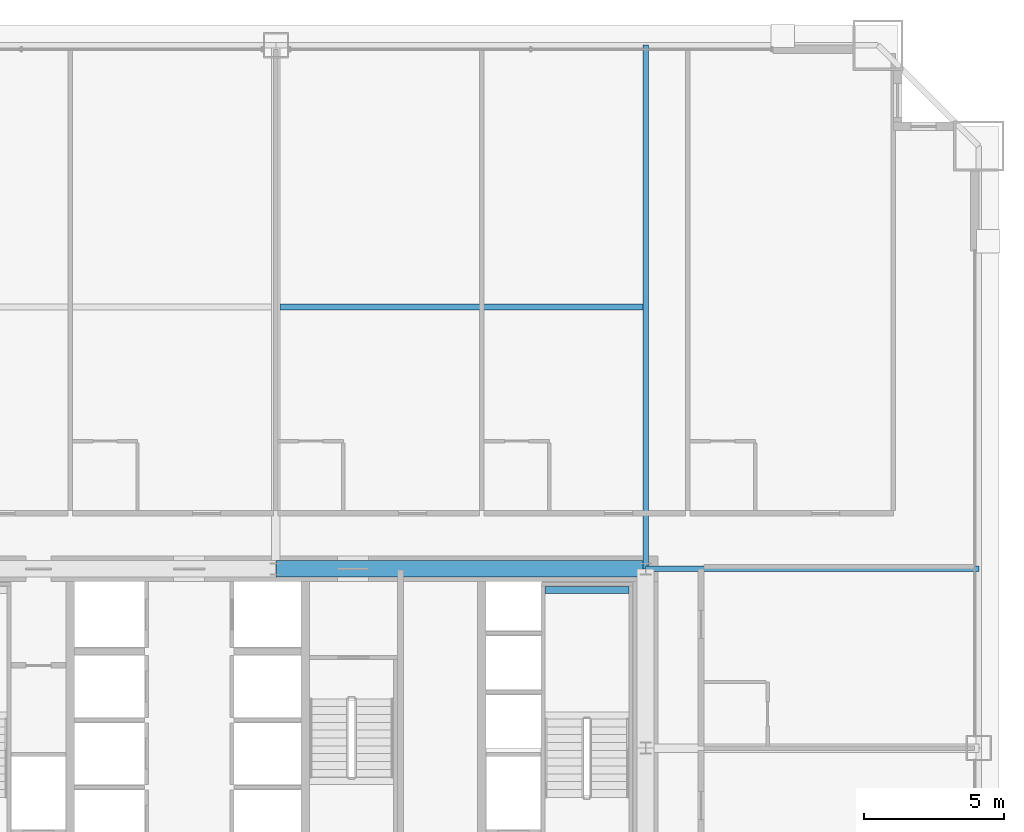
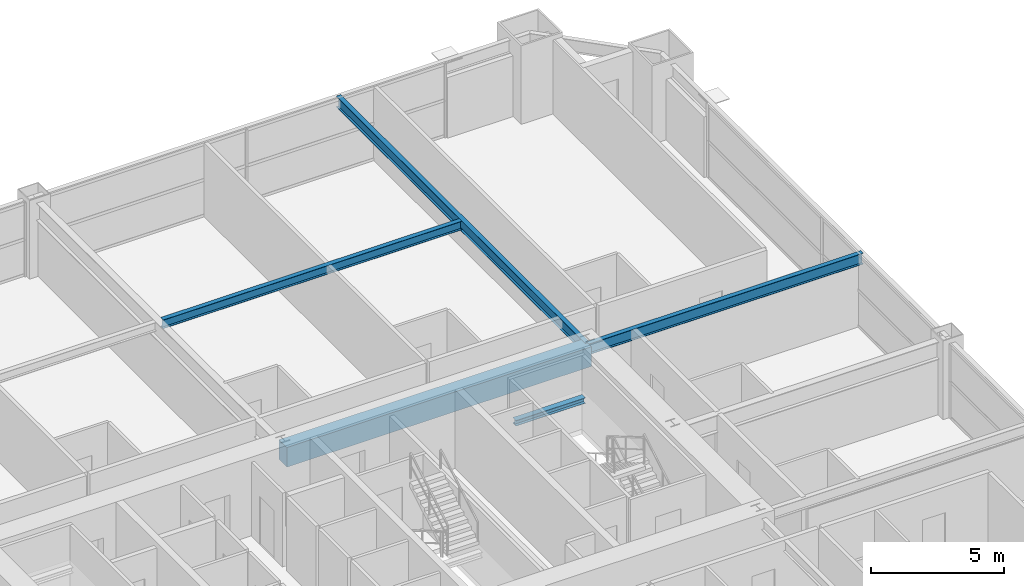
# One storey, part 32 of 45: 5 beams.
"""IFC4 building model written with IfcOpenShell, lengths in metres."""

import ifcopenshell
import ifcopenshell.guid

model = None  # the IFC model being written
_history = None  # IfcOwnerHistory: only IFC2X3 demands one
_inside = {}  # id of a spatial element -> (the spatial element, [elements in it])
_under = {}  # id of a project, library or spatial element -> (it, [spatial elements below it])
_declared = {}  # id of a project -> (the project, [libraries it declares])
_typed = {}  # id of a type object -> (the type object, [elements of that type])
_made_of = {}  # id of a material, layer set ... -> (it, [elements and type objects made of it])


def new_model(schema):
    """Start an empty IFC model of exactly this schema.

    Asked for "IFC4X3", IfcOpenShell would pick the latest addendum, in which some entities
    have other attributes; the version numbers below select the first issue.
    IFC2X3 requires an IfcOwnerHistory on every rooted entity: one is made here for all.
    """
    global model, _history
    if schema == "IFC4X3":
        model = ifcopenshell.file(schema_version=(4, 3, 0, 0))
    else:
        model = ifcopenshell.file(schema=schema)
    _inside.clear()
    _under.clear()
    _declared.clear()
    _typed.clear()
    _made_of.clear()
    _history = None
    if model.schema == "IFC2X3":
        org = make("IfcOrganization", Name="unknown")
        user = make(
            "IfcPersonAndOrganization",
            ThePerson=make("IfcPerson", FamilyName="unknown"),
            TheOrganization=org,
        )
        app = make(
            "IfcApplication",
            ApplicationDeveloper=org,
            Version="unknown",
            ApplicationFullName="unknown",
            ApplicationIdentifier="unknown",
        )
        _history = make(
            "IfcOwnerHistory",
            OwningUser=user,
            OwningApplication=app,
            ChangeAction="ADDED",
            CreationDate=0,
        )
    return model


def make(cls, **values):
    """One entity of the class cls with the attributes given. An attribute that is None is left unset."""
    return model.create_entity(
        cls, **{name: value for name, value in values.items() if value is not None}
    )


def rooted(cls, **values):
    """An entity with a GlobalId (a new one), such as an element, a storey or a relation."""
    return make(cls, GlobalId=ifcopenshell.guid.new(), OwnerHistory=_history, **values)


def si_unit(unit_type, name, prefix=None):
    """IfcSIUnit, for example si_unit("LENGTHUNIT", "METRE", prefix="MILLI")."""
    return make("IfcSIUnit", UnitType=unit_type, Prefix=prefix, Name=name)


def assignment(units):
    """IfcUnitAssignment: the units of a project."""
    return None if units is None else make("IfcUnitAssignment", Units=units)


def point(xyz):
    """IfcCartesianPoint."""
    return None if xyz is None else make("IfcCartesianPoint", Coordinates=xyz)


def direction(xyz):
    """IfcDirection."""
    return None if xyz is None else make("IfcDirection", DirectionRatios=xyz)


def frame(location, z_axis=None, x_axis=None):
    """IfcAxis2Placement3D, a coordinate frame: its origin and axes. An axis left out is left unset."""
    return make(
        "IfcAxis2Placement3D",
        Location=point(location),
        Axis=direction(z_axis),
        RefDirection=direction(x_axis),
    )


def frame_2d(location, x_axis=None):
    """IfcAxis2Placement2D, a coordinate frame in the plane: its origin and x axis."""
    return make(
        "IfcAxis2Placement2D", Location=point(location), RefDirection=direction(x_axis)
    )


def origin():
    """The frame at (0, 0, 0) with its axes left unset."""
    return frame((0.0, 0.0, 0.0))


def origin_2d():
    """The frame at (0, 0) in the plane with its x axis left unset."""
    return frame_2d((0.0, 0.0))


def place(relative_to, where):
    """IfcLocalPlacement: puts the frame where relative to a parent placement (None: the world)."""
    return make(
        "IfcLocalPlacement", PlacementRelTo=relative_to, RelativePlacement=where
    )


def context(
    kind, dimensions, precision=None, world=None, true_north=None, identifier=None
):
    """IfcGeometricRepresentationContext, for example the 3D "Model" context."""
    return make(
        "IfcGeometricRepresentationContext",
        ContextIdentifier=identifier,
        ContextType=kind,
        CoordinateSpaceDimension=dimensions,
        Precision=precision,
        WorldCoordinateSystem=world,
        TrueNorth=true_north,
    )


def subcontext(parent, identifier, kind, view, scale=None):
    """IfcGeometricRepresentationSubContext, for example "Body" below "Model"."""
    return make(
        "IfcGeometricRepresentationSubContext",
        ContextIdentifier=identifier,
        ContextType=kind,
        ParentContext=parent,
        TargetScale=scale,
        TargetView=view,
    )


def project(units=None, contexts=None):
    """IfcProject with its units and contexts."""
    return rooted(
        "IfcProject",
        Name="project",
        RepresentationContexts=contexts,
        UnitsInContext=assignment(units),
    )


def spatial(cls, under=None, at=None, **own):
    """A site, building, storey or space (cls), placed at a placement, below another one or the project."""
    s = rooted(cls, ObjectPlacement=at, **own)
    if under is not None:
        _under.setdefault(under.id(), (under, []))[1].append(s)
    return s


def profile(cls, at=None, kind="AREA", **sizes):
    """A parametric profile (cls). Its sizes go by their IFC names, for example OverallWidth=200.0."""
    return make(cls, ProfileType=kind, Position=at, **sizes)


def rectangle(**sizes):
    """IfcRectangleProfileDef."""
    return profile("IfcRectangleProfileDef", **sizes)


def i_section(**sizes):
    """IfcIShapeProfileDef."""
    return profile("IfcIShapeProfileDef", **sizes)


def extrude(swept, where, along, depth):
    """IfcExtrudedAreaSolid: the profile swept, set in the frame where, extruded along a direction by depth."""
    return make(
        "IfcExtrudedAreaSolid",
        SweptArea=swept,
        Position=where,
        ExtrudedDirection=direction(along),
        Depth=depth,
    )


def shape(context_of_items, identifier, shape_type, items):
    """IfcShapeRepresentation: the items that make up one representation, for example the "Body"."""
    return make(
        "IfcShapeRepresentation",
        ContextOfItems=context_of_items,
        RepresentationIdentifier=identifier,
        RepresentationType=shape_type,
        Items=items,
    )


def source(mapping_origin, context_of_items, identifier, shape_type, items):
    """IfcRepresentationMap: a shape defined once, which mapped items show again and again."""
    return make(
        "IfcRepresentationMap",
        MappingOrigin=mapping_origin,
        MappedRepresentation=shape(context_of_items, identifier, shape_type, items),
    )


def transform(
    local_origin,
    x_axis=None,
    y_axis=None,
    z_axis=None,
    scale=None,
    scale2=None,
    scale3=None,
    uniform=True,
):
    """IfcCartesianTransformationOperator3D, or its non-uniform kind. x_axis, y_axis, z_axis: its Axis1, 2, 3."""
    if uniform:
        return make(
            "IfcCartesianTransformationOperator3D",
            Axis1=direction(x_axis),
            Axis2=direction(y_axis),
            LocalOrigin=point(local_origin),
            Scale=scale,
            Axis3=direction(z_axis),
        )
    return make(
        "IfcCartesianTransformationOperator3DnonUniform",
        Axis1=direction(x_axis),
        Axis2=direction(y_axis),
        LocalOrigin=point(local_origin),
        Scale=scale,
        Axis3=direction(z_axis),
        Scale2=scale2,
        Scale3=scale3,
    )


def mapped(mapping_source, mapping_target):
    """IfcMappedItem: shows the shape of a source again, moved by a transform."""
    return make(
        "IfcMappedItem", MappingSource=mapping_source, MappingTarget=mapping_target
    )


def material(Name=None, Category=None):
    """IfcMaterial."""
    return make("IfcMaterial", Name=Name, Category=Category)


def material_profile(
    of_material, cross_section, Name=None, Category=None, Priority=None
):
    """IfcMaterialProfile: a cross section and its material."""
    return make(
        "IfcMaterialProfile",
        Name=Name,
        Material=of_material,
        Profile=cross_section,
        Priority=Priority,
        Category=Category,
    )


def profile_set(profiles, Name=None, composite=None):
    """IfcMaterialProfileSet."""
    return make(
        "IfcMaterialProfileSet",
        Name=Name,
        MaterialProfiles=profiles,
        CompositeProfile=composite,
    )


def made_of(thing, what):
    """Note that an element or type object is made of a material, layer set ...; save() writes the relation."""
    if what is not None:
        _made_of.setdefault(what.id(), (what, []))[1].append(thing)
    return thing


def type_object(cls, material=None, **own):
    """A type object (cls), such as IfcWallType, which elements share."""
    return made_of(rooted(cls, **own), material)


def element(
    cls,
    number,
    at=None,
    inside=None,
    cuts=None,
    type_object=None,
    material=None,
    context=None,
    identifier="Body",
    shape_type=None,
    held_by="IfcProductDefinitionShape",
    body=None,
    shapes=None,
    **own,
):
    """One element of the class cls, such as IfcWall. Its Tag is "e" and its number.

    at: its placement. inside: the storey or other place that contains it. cuts: it is an
    opening in that element (IfcRelVoidsElement). A single representation is given by context,
    identifier, shape_type and body (its items); several are given by shapes. held_by: the class
    of the entity that holds the representations. save() writes the other relations.
    """
    e = rooted(cls, Tag="e%d" % number, ObjectPlacement=at, **own)
    if body is not None:
        shapes = [shape(context, identifier, shape_type, body)]
    if shapes is not None:
        e.Representation = make(held_by, Representations=shapes)
    if inside is not None:
        _inside.setdefault(inside.id(), (inside, []))[1].append(e)
    if cuts is not None:
        rooted(
            "IfcRelVoidsElement", RelatingBuildingElement=cuts, RelatedOpeningElement=e
        )
    if type_object is not None:
        _typed.setdefault(type_object.id(), (type_object, []))[1].append(e)
    return made_of(e, material)


def aggregate(whole, parts):
    """IfcRelAggregates: a whole, such as a stair, and the parts it consists of."""
    return rooted("IfcRelAggregates", RelatingObject=whole, RelatedObjects=parts)


def save(model, path):
    """Write the relations noted so far, then the file.

    IfcRelAggregates (storeys below a building ...), IfcRelContainedInSpatialStructure (elements
    in a storey), IfcRelDefinesByType, IfcRelAssociatesMaterial and IfcRelDeclares: one each for
    every whole, place, type object, material and project.
    """
    for whole, parts in _under.values():
        aggregate(whole, parts)
    for where, things in _inside.values():
        rooted(
            "IfcRelContainedInSpatialStructure",
            RelatedElements=things,
            RelatingStructure=where,
        )
    for kind, things in _typed.values():
        rooted("IfcRelDefinesByType", RelatedObjects=things, RelatingType=kind)
    for what, things in _made_of.values():
        rooted("IfcRelAssociatesMaterial", RelatedObjects=things, RelatingMaterial=what)
    for by, libraries in _declared.values():
        rooted("IfcRelDeclares", RelatingContext=by, RelatedDefinitions=libraries)
    model.write(path)


model = new_model("IFC4")

# Units and contexts
model_context = context("Model", 3, precision=1e-05, world=origin(), true_north=direction((0.0, 1.0)))
body_context = subcontext(model_context, "Body", "Model", "MODEL_VIEW")
ifc_project = project(units=[si_unit("LENGTHUNIT", "METRE"), si_unit("AREAUNIT", "SQUARE_METRE"), si_unit("VOLUMEUNIT", "CUBIC_METRE"), si_unit("PLANEANGLEUNIT", "RADIAN"), si_unit("MASSUNIT", "GRAM", prefix="KILO"), si_unit("THERMODYNAMICTEMPERATUREUNIT", "KELVIN"), si_unit("POWERUNIT", "WATT")], contexts=[model_context])

# Site, building, storey
site_placement = place(None, origin())
site = spatial("IfcSite", under=ifc_project, at=site_placement, CompositionType="ELEMENT")
building_placement = place(site_placement, origin())
building = spatial("IfcBuilding", under=site, at=building_placement, Name="Yuzanri Waterfront Tower", CompositionType="ELEMENT")
storey_placement = place(building_placement, frame((0.0, 0.0, 34.199951171875)))
storey = spatial("IfcBuildingStorey", under=building, at=storey_placement, Name="L08", CompositionType="ELEMENT", Elevation=34.199951171875)

# Beams
ifc_material_1 = material(Name="Concrete C60", Category="concrete")
ifc_material_profile_1 = material_profile(ifc_material_1, rectangle(XDim=0.60009765625, YDim=0.89990234375, at=origin_2d()), Name="RC 600x900")
ifc_profile_set_1 = profile_set([ifc_material_profile_1], Name="Concrete C60")
beam_type_1 = type_object("IfcBeamType", Name="Core Coupling Lintel Concrete C60 600x900", PredefinedType="LINTEL", material=ifc_profile_set_1)
shared_shape_1 = source(origin(), body_context, "Body", "SweptSolid", [
    extrude(rectangle(XDim=0.60009765625, YDim=0.89990234375, at=origin_2d()), origin(), (0.0, 0.0, 1.0), 13.199951171875),
])
beam_1_placement = place(storey_placement, frame((37.0, 32.199951171875, 2.929931640625), z_axis=(1.0, 0.0, 0.0), x_axis=(0.0, 1.0, 0.0)))
element("IfcBeam", 1, at=beam_1_placement, inside=storey, type_object=beam_type_1, Name="L08 Core Tie Beam CN2", PredefinedType="LINTEL", context=body_context, shape_type="MappedRepresentation", body=[
    mapped(shared_shape_1, transform((0.0, 0.0, 0.0), scale=1.0)),
])
ifc_material_2 = material(Name="Steel Q355B", Category="steel")
ifc_material_profile_2 = material_profile(ifc_material_2, i_section(OverallWidth=0.199951171875, OverallDepth=0.5, WebThickness=0.010009765625, FlangeThickness=0.01611328125, at=origin_2d()), Name="HN 500x200x10x16")
ifc_profile_set_2 = profile_set([ifc_material_profile_2], Name="Steel Q355B")
beam_type_2 = type_object("IfcBeamType", Name="Secondary Floor Beam Q355B HN 500x200", PredefinedType="BEAM", material=ifc_profile_set_2)
shared_shape_2 = source(origin(), body_context, "Body", "SweptSolid", [
    extrude(i_section(OverallWidth=0.199951171875, OverallDepth=0.5, WebThickness=0.010009765625, FlangeThickness=0.01611328125, at=origin_2d()), origin(), (0.0, 0.0, 1.0), 18.699951171875),
])
beam_2_placement = place(storey_placement, frame((50.199951171875, 32.199951171875, 3.130126953125), z_axis=(0.0, 1.0, 0.0), x_axis=(-1.0, 0.0, 0.0)))
element("IfcBeam", 2, at=beam_2_placement, inside=storey, type_object=beam_type_2, Name="L08 North-East Core Line Beam", PredefinedType="BEAM", context=body_context, shape_type="MappedRepresentation", body=[
    mapped(shared_shape_2, transform((0.0, 0.0, 0.0), scale=1.0)),
])
shared_shape_3 = source(origin(), body_context, "Body", "SweptSolid", [
    extrude(i_section(OverallWidth=0.199951171875, OverallDepth=0.5, WebThickness=0.010009765625, FlangeThickness=0.01611328125, at=origin_2d()), origin(), (0.0, 0.0, 1.0), 11.900146484375),
])
beam_3_placement = place(storey_placement, frame((50.199951171875, 32.199951171875, 3.130126953125), z_axis=(1.0, 0.0, 0.0), x_axis=(0.0, 1.0, 0.0)))
element("IfcBeam", 3, at=beam_3_placement, inside=storey, type_object=beam_type_2, Name="L08 East-North Core Line Beam", PredefinedType="BEAM", context=body_context, shape_type="MappedRepresentation", body=[
    mapped(shared_shape_3, transform((0.0, 0.0, 0.0), scale=1.0)),
])
ifc_material_3 = material(Name="Steel Q355B", Category="steel")
ifc_material_profile_3 = material_profile(ifc_material_3, i_section(OverallWidth=0.199951171875, OverallDepth=0.39990234375, WebThickness=0.008056640625, FlangeThickness=0.012939453125, at=origin_2d()), Name="HN 400x200x8x13")
ifc_profile_set_3 = profile_set([ifc_material_profile_3], Name="Steel Q355B")
beam_type_3 = type_object("IfcBeamType", Name="Floor Joist Q355B HN 400x200", PredefinedType="JOIST", material=ifc_profile_set_3)
shared_shape_4 = source(origin(), body_context, "Body", "SweptSolid", [
    extrude(i_section(OverallWidth=0.199951171875, OverallDepth=0.39990234375, WebThickness=0.008056640625, FlangeThickness=0.012939453125, at=origin_2d()), origin(), (0.0, 0.0, 1.0), 12.9501953125),
])
beam_4_placement = place(storey_placement, frame((37.14990234375, 41.550048828125, 3.179931640625), z_axis=(1.0, 0.0, 0.0), x_axis=(0.0, 1.0, 0.0)))
element("IfcBeam", 4, at=beam_4_placement, inside=storey, type_object=beam_type_3, Name="L08 North Bay Joist E", PredefinedType="JOIST", context=body_context, shape_type="MappedRepresentation", body=[
    mapped(shared_shape_4, transform((0.0, 0.0, 0.0), scale=1.0)),
])
ifc_material_4 = material(Name="Steel Q355B", Category="steel")
ifc_material_profile_4 = material_profile(ifc_material_4, i_section(OverallWidth=0.25, OverallDepth=0.25, WebThickness=0.009033203125, FlangeThickness=0.013916015625, at=origin_2d()), Name="HW 250x250x9x14")
ifc_profile_set_4 = profile_set([ifc_material_profile_4], Name="Steel Q355B")
beam_type_4 = type_object("IfcBeamType", Name="Stair Landing Support Beam Q355B HW 250x250", PredefinedType="BEAM", material=ifc_profile_set_4)
shared_shape_5 = source(origin(), body_context, "Body", "SweptSolid", [
    extrude(i_section(OverallWidth=0.25, OverallDepth=0.25, WebThickness=0.009033203125, FlangeThickness=0.013916015625, at=origin_2d()), origin(), (0.0, 0.0, 1.0), 3.0),
])
beam_5_placement = place(storey_placement, frame((46.60009765625, 31.449951171875, 1.47509765625), z_axis=(1.0, 0.0, 0.0), x_axis=(0.0, 1.0, 0.0)))
element("IfcBeam", 5, at=beam_5_placement, inside=storey, type_object=beam_type_4, Name="L08 Stair Landing Support Beam ST-02-L08-L1-2", PredefinedType="BEAM", context=body_context, shape_type="MappedRepresentation", body=[
    mapped(shared_shape_5, transform((0.0, 0.0, 0.0), scale=1.0)),
])

save(model, "model.ifc")
